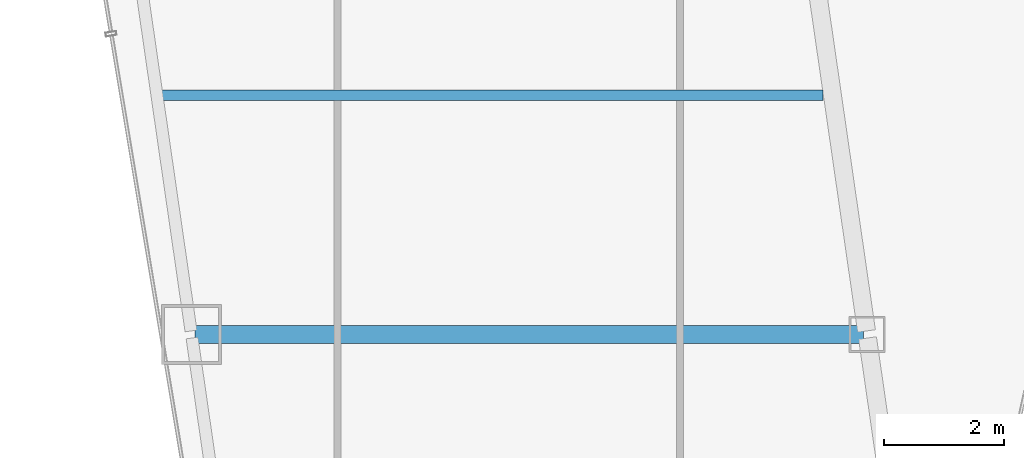
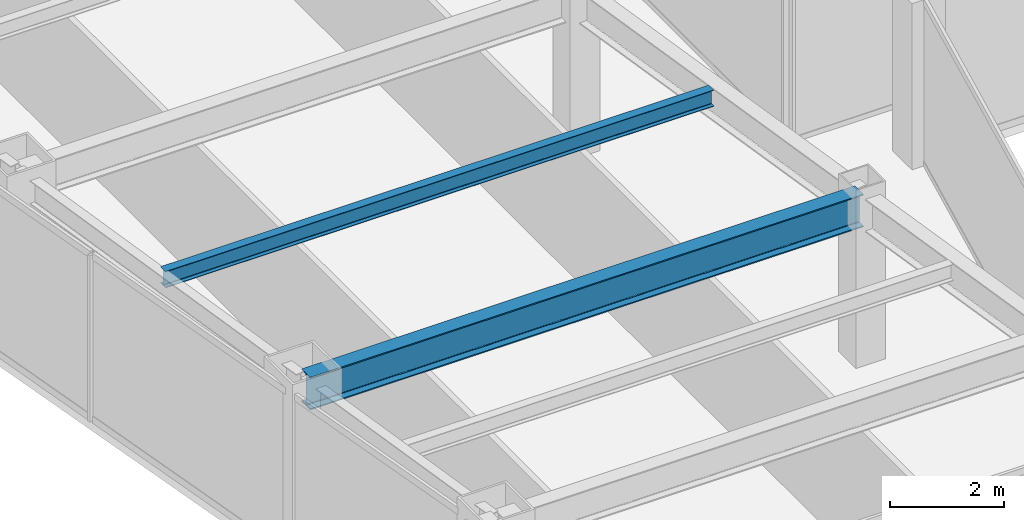
# One storey, part 4 of 37: 2 beams.
"""IFC4 building model written with IfcOpenShell, lengths in metres."""

import ifcopenshell
import ifcopenshell.guid

model = None  # the IFC model being written
_history = None  # IfcOwnerHistory: only IFC2X3 demands one
_inside = {}  # id of a spatial element -> (the spatial element, [elements in it])
_under = {}  # id of a project, library or spatial element -> (it, [spatial elements below it])
_declared = {}  # id of a project -> (the project, [libraries it declares])
_typed = {}  # id of a type object -> (the type object, [elements of that type])
_made_of = {}  # id of a material, layer set ... -> (it, [elements and type objects made of it])


def new_model(schema):
    """Start an empty IFC model of exactly this schema.

    Asked for "IFC4X3", IfcOpenShell would pick the latest addendum, in which some entities
    have other attributes; the version numbers below select the first issue.
    IFC2X3 requires an IfcOwnerHistory on every rooted entity: one is made here for all.
    """
    global model, _history
    if schema == "IFC4X3":
        model = ifcopenshell.file(schema_version=(4, 3, 0, 0))
    else:
        model = ifcopenshell.file(schema=schema)
    _inside.clear()
    _under.clear()
    _declared.clear()
    _typed.clear()
    _made_of.clear()
    _history = None
    if model.schema == "IFC2X3":
        org = make("IfcOrganization", Name="unknown")
        user = make(
            "IfcPersonAndOrganization",
            ThePerson=make("IfcPerson", FamilyName="unknown"),
            TheOrganization=org,
        )
        app = make(
            "IfcApplication",
            ApplicationDeveloper=org,
            Version="unknown",
            ApplicationFullName="unknown",
            ApplicationIdentifier="unknown",
        )
        _history = make(
            "IfcOwnerHistory",
            OwningUser=user,
            OwningApplication=app,
            ChangeAction="ADDED",
            CreationDate=0,
        )
    return model


def make(cls, **values):
    """One entity of the class cls with the attributes given. An attribute that is None is left unset."""
    return model.create_entity(
        cls, **{name: value for name, value in values.items() if value is not None}
    )


def rooted(cls, **values):
    """An entity with a GlobalId (a new one), such as an element, a storey or a relation."""
    return make(cls, GlobalId=ifcopenshell.guid.new(), OwnerHistory=_history, **values)


def si_unit(unit_type, name, prefix=None):
    """IfcSIUnit, for example si_unit("LENGTHUNIT", "METRE", prefix="MILLI")."""
    return make("IfcSIUnit", UnitType=unit_type, Prefix=prefix, Name=name)


def assignment(units):
    """IfcUnitAssignment: the units of a project."""
    return None if units is None else make("IfcUnitAssignment", Units=units)


def point(xyz):
    """IfcCartesianPoint."""
    return None if xyz is None else make("IfcCartesianPoint", Coordinates=xyz)


def direction(xyz):
    """IfcDirection."""
    return None if xyz is None else make("IfcDirection", DirectionRatios=xyz)


def frame(location, z_axis=None, x_axis=None):
    """IfcAxis2Placement3D, a coordinate frame: its origin and axes. An axis left out is left unset."""
    return make(
        "IfcAxis2Placement3D",
        Location=point(location),
        Axis=direction(z_axis),
        RefDirection=direction(x_axis),
    )


def frame_2d(location, x_axis=None):
    """IfcAxis2Placement2D, a coordinate frame in the plane: its origin and x axis."""
    return make(
        "IfcAxis2Placement2D", Location=point(location), RefDirection=direction(x_axis)
    )


def origin():
    """The frame at (0, 0, 0) with its axes left unset."""
    return frame((0.0, 0.0, 0.0))


def origin_2d():
    """The frame at (0, 0) in the plane with its x axis left unset."""
    return frame_2d((0.0, 0.0))


def place(relative_to, where):
    """IfcLocalPlacement: puts the frame where relative to a parent placement (None: the world)."""
    return make(
        "IfcLocalPlacement", PlacementRelTo=relative_to, RelativePlacement=where
    )


def context(
    kind, dimensions, precision=None, world=None, true_north=None, identifier=None
):
    """IfcGeometricRepresentationContext, for example the 3D "Model" context."""
    return make(
        "IfcGeometricRepresentationContext",
        ContextIdentifier=identifier,
        ContextType=kind,
        CoordinateSpaceDimension=dimensions,
        Precision=precision,
        WorldCoordinateSystem=world,
        TrueNorth=true_north,
    )


def subcontext(parent, identifier, kind, view, scale=None):
    """IfcGeometricRepresentationSubContext, for example "Body" below "Model"."""
    return make(
        "IfcGeometricRepresentationSubContext",
        ContextIdentifier=identifier,
        ContextType=kind,
        ParentContext=parent,
        TargetScale=scale,
        TargetView=view,
    )


def project(units=None, contexts=None):
    """IfcProject with its units and contexts."""
    return rooted(
        "IfcProject",
        Name="project",
        RepresentationContexts=contexts,
        UnitsInContext=assignment(units),
    )


def spatial(cls, under=None, at=None, **own):
    """A site, building, storey or space (cls), placed at a placement, below another one or the project."""
    s = rooted(cls, ObjectPlacement=at, **own)
    if under is not None:
        _under.setdefault(under.id(), (under, []))[1].append(s)
    return s


def profile(cls, at=None, kind="AREA", **sizes):
    """A parametric profile (cls). Its sizes go by their IFC names, for example OverallWidth=200.0."""
    return make(cls, ProfileType=kind, Position=at, **sizes)


def i_section(**sizes):
    """IfcIShapeProfileDef."""
    return profile("IfcIShapeProfileDef", **sizes)


def extrude(swept, where, along, depth):
    """IfcExtrudedAreaSolid: the profile swept, set in the frame where, extruded along a direction by depth."""
    return make(
        "IfcExtrudedAreaSolid",
        SweptArea=swept,
        Position=where,
        ExtrudedDirection=direction(along),
        Depth=depth,
    )


def shape(context_of_items, identifier, shape_type, items):
    """IfcShapeRepresentation: the items that make up one representation, for example the "Body"."""
    return make(
        "IfcShapeRepresentation",
        ContextOfItems=context_of_items,
        RepresentationIdentifier=identifier,
        RepresentationType=shape_type,
        Items=items,
    )


def material(Name=None, Category=None):
    """IfcMaterial."""
    return make("IfcMaterial", Name=Name, Category=Category)


def material_profile(
    of_material, cross_section, Name=None, Category=None, Priority=None
):
    """IfcMaterialProfile: a cross section and its material."""
    return make(
        "IfcMaterialProfile",
        Name=Name,
        Material=of_material,
        Profile=cross_section,
        Priority=Priority,
        Category=Category,
    )


def profile_set(profiles, Name=None, composite=None):
    """IfcMaterialProfileSet."""
    return make(
        "IfcMaterialProfileSet",
        Name=Name,
        MaterialProfiles=profiles,
        CompositeProfile=composite,
    )


def made_of(thing, what):
    """Note that an element or type object is made of a material, layer set ...; save() writes the relation."""
    if what is not None:
        _made_of.setdefault(what.id(), (what, []))[1].append(thing)
    return thing


def type_object(cls, material=None, **own):
    """A type object (cls), such as IfcWallType, which elements share."""
    return made_of(rooted(cls, **own), material)


def element(
    cls,
    number,
    at=None,
    inside=None,
    cuts=None,
    type_object=None,
    material=None,
    context=None,
    identifier="Body",
    shape_type=None,
    held_by="IfcProductDefinitionShape",
    body=None,
    shapes=None,
    **own,
):
    """One element of the class cls, such as IfcWall. Its Tag is "e" and its number.

    at: its placement. inside: the storey or other place that contains it. cuts: it is an
    opening in that element (IfcRelVoidsElement). A single representation is given by context,
    identifier, shape_type and body (its items); several are given by shapes. held_by: the class
    of the entity that holds the representations. save() writes the other relations.
    """
    e = rooted(cls, Tag="e%d" % number, ObjectPlacement=at, **own)
    if body is not None:
        shapes = [shape(context, identifier, shape_type, body)]
    if shapes is not None:
        e.Representation = make(held_by, Representations=shapes)
    if inside is not None:
        _inside.setdefault(inside.id(), (inside, []))[1].append(e)
    if cuts is not None:
        rooted(
            "IfcRelVoidsElement", RelatingBuildingElement=cuts, RelatedOpeningElement=e
        )
    if type_object is not None:
        _typed.setdefault(type_object.id(), (type_object, []))[1].append(e)
    return made_of(e, material)


def aggregate(whole, parts):
    """IfcRelAggregates: a whole, such as a stair, and the parts it consists of."""
    return rooted("IfcRelAggregates", RelatingObject=whole, RelatedObjects=parts)


def save(model, path):
    """Write the relations noted so far, then the file.

    IfcRelAggregates (storeys below a building ...), IfcRelContainedInSpatialStructure (elements
    in a storey), IfcRelDefinesByType, IfcRelAssociatesMaterial and IfcRelDeclares: one each for
    every whole, place, type object, material and project.
    """
    for whole, parts in _under.values():
        aggregate(whole, parts)
    for where, things in _inside.values():
        rooted(
            "IfcRelContainedInSpatialStructure",
            RelatedElements=things,
            RelatingStructure=where,
        )
    for kind, things in _typed.values():
        rooted("IfcRelDefinesByType", RelatedObjects=things, RelatingType=kind)
    for what, things in _made_of.values():
        rooted("IfcRelAssociatesMaterial", RelatedObjects=things, RelatingMaterial=what)
    for by, libraries in _declared.values():
        rooted("IfcRelDeclares", RelatingContext=by, RelatedDefinitions=libraries)
    model.write(path)


model = new_model("IFC4")

# Units and contexts
model_context = context("Model", 3, precision=1e-05, world=origin(), true_north=direction((0.0, 1.0)))
body_context = subcontext(model_context, "Body", "Model", "MODEL_VIEW")
ifc_project = project(units=[si_unit("LENGTHUNIT", "METRE"), si_unit("AREAUNIT", "SQUARE_METRE"), si_unit("VOLUMEUNIT", "CUBIC_METRE"), si_unit("PLANEANGLEUNIT", "RADIAN"), si_unit("MASSUNIT", "GRAM", prefix="KILO")], contexts=[model_context])

# Site, building, storey
site_placement = place(None, origin())
site = spatial("IfcSite", under=ifc_project, at=site_placement, CompositionType="ELEMENT")
building_placement = place(site_placement, origin())
building = spatial("IfcBuilding", under=site, at=building_placement, Name="Saevonmaru Cultural Tower", CompositionType="ELEMENT")
storey_placement = place(building_placement, frame((0.0, 0.0, 160.0)))
storey = spatial("IfcBuildingStorey", under=building, at=storey_placement, Name="L35", CompositionType="ELEMENT", Elevation=160.0)

# Beams
ifc_material = material(Name="Steel SM355", Category="steel")
ifc_material_profile_1 = material_profile(ifc_material, i_section(OverallWidth=0.300048828125, OverallDepth=0.699951171875, WebThickness=0.012939453125, FlangeThickness=0.02392578125, FilletRadius=0.02587890625, at=origin_2d()), Name="H-700x300x13x24")
ifc_profile_set_1 = profile_set([ifc_material_profile_1], Name="Steel SM355")
beam_type_1 = type_object("IfcBeamType", Name="BM-G-H700", PredefinedType="BEAM", material=ifc_profile_set_1)
beam_1_placement = place(storey_placement, frame((10.68798828125, 16.0, 3.199951171875), z_axis=(1.0, 0.0, 0.0), x_axis=(0.0, 1.0, 0.0)))
element("IfcBeam", 1, at=beam_1_placement, inside=storey, type_object=beam_type_1, Name="L35 West Wing Transverse Girder 2", PredefinedType="BEAM", context=body_context, shape_type="SweptSolid", body=[
    extrude(i_section(OverallWidth=0.300048828125, OverallDepth=0.699951171875, WebThickness=0.012939453125, FlangeThickness=0.02392578125, FilletRadius=0.02587890625, at=origin_2d()), origin(), (0.0, 0.0, 1.0), 11.179931640625),
])
ifc_material_profile_2 = material_profile(ifc_material, i_section(OverallWidth=0.175048828125, OverallDepth=0.35009765625, WebThickness=0.007080078125, FlangeThickness=0.010986328125, FilletRadius=0.012939453125, at=origin_2d()), Name="H-350x175x7x11")
ifc_profile_set_2 = profile_set([ifc_material_profile_2], Name="Steel SM355")
beam_type_2 = type_object("IfcBeamType", Name="BM-J-H350", PredefinedType="JOIST", material=ifc_profile_set_2)
beam_2_placement = place(storey_placement, frame((10.110107421875, 20.0, 3.375), z_axis=(1.0, 0.0, 0.0), x_axis=(0.0, 1.0, 0.0)))
element("IfcBeam", 2, at=beam_2_placement, inside=storey, type_object=beam_type_2, Name="L35 West Wing Floor Joist 2", PredefinedType="JOIST", context=body_context, shape_type="SweptSolid", body=[
    extrude(i_section(OverallWidth=0.175048828125, OverallDepth=0.35009765625, WebThickness=0.007080078125, FlangeThickness=0.010986328125, FilletRadius=0.012939453125, at=origin_2d()), origin(), (0.0, 0.0, 1.0), 11.081787109375),
])

save(model, "model.ifc")
